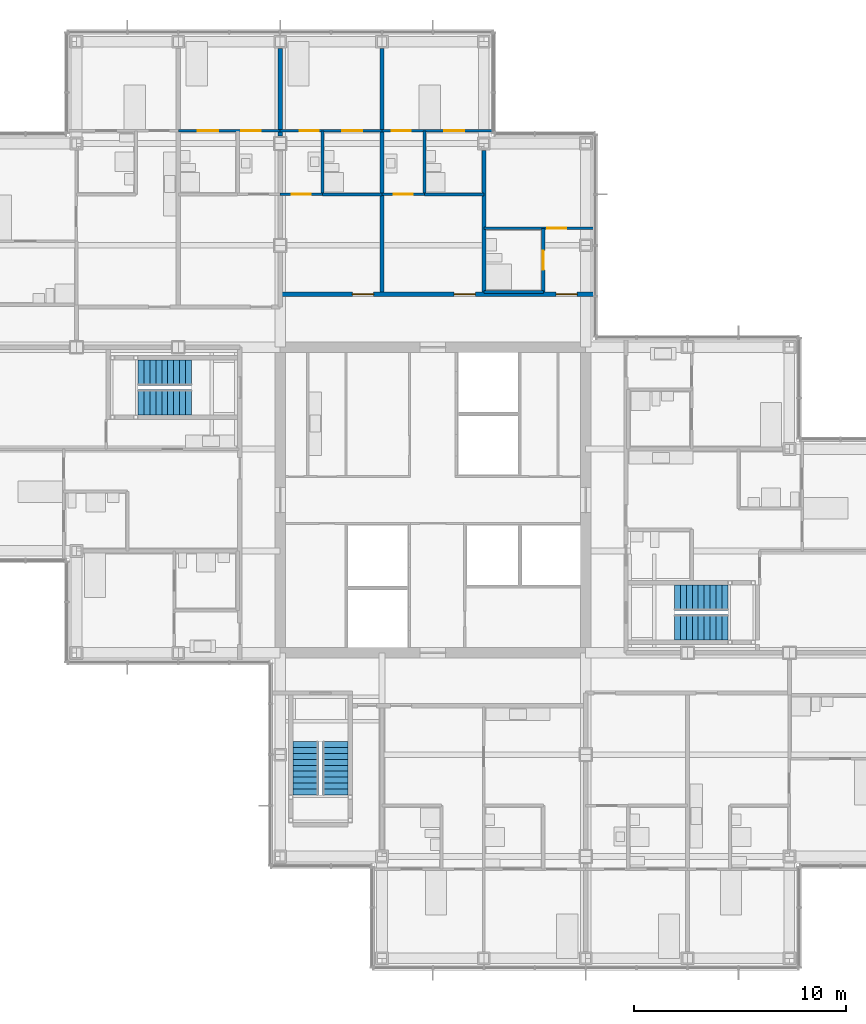
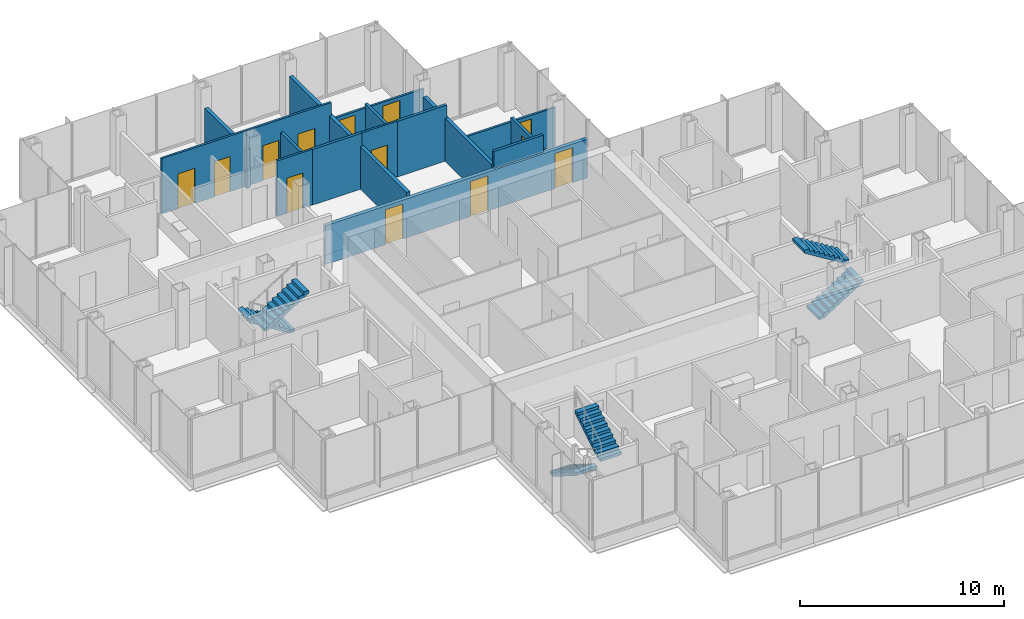
# One storey, part 17 of 20: 16 walls, 13 doors, 6 stair flights, 13 openings, 3 elements without a shape of their own.
"""IFC4 building model written with IfcOpenShell, lengths in metres."""

from ifc_helpers import new_model, si_unit, direction, frame, frame_2d, origin, place, context, subcontext, project, spatial, polyline, rectangle, outline, extrude, material, layer, layer_set, type_object, element, fill, aggregate, save


model = new_model("IFC4")

# Units and contexts
model_context = context("Model", 3, precision=1e-05, world=origin(), true_north=direction((0.0, 1.0)))
body_context = subcontext(model_context, "Body", "Model", "MODEL_VIEW")
ifc_project = project(units=[si_unit("LENGTHUNIT", "METRE"), si_unit("AREAUNIT", "SQUARE_METRE"), si_unit("VOLUMEUNIT", "CUBIC_METRE"), si_unit("PLANEANGLEUNIT", "RADIAN"), si_unit("MASSUNIT", "GRAM", prefix="KILO")], contexts=[model_context])

# Site, building, storey
site_placement = place(None, origin())
site = spatial("IfcSite", under=ifc_project, at=site_placement, CompositionType="ELEMENT")
building_placement = place(site_placement, origin())
building = spatial("IfcBuilding", under=site, at=building_placement, Name="Kvirike Care Tower", CompositionType="ELEMENT")
storey_placement = place(building_placement, frame((0.0, 0.0, 122.5)))
storey = spatial("IfcBuildingStorey", under=building, at=storey_placement, Name="L33", CompositionType="ELEMENT", Elevation=122.5)

# Wall, opening, door
ifc_material_1 = material(Name="Moisture-resistant board partition", Category="gypsum")
ifc_layer_1 = layer(ifc_material_1, 0.14990234375)
ifc_layer_set_1 = layer_set([ifc_layer_1], Name="BATHROOM WALL 150")
wall_type_1 = type_object("IfcWallType", Name="BATHROOM WALL 150", PredefinedType="PARTITIONING", material=ifc_layer_set_1)
wall_1_placement = place(storey_placement, frame((26.800048828125, 48.800048828125, 0.0), z_axis=(0.0, 0.0, 1.0), x_axis=(0.0, -1.0, 0.0)))
wall_1 = element("IfcWall", 1, at=wall_1_placement, inside=storey, type_object=wall_type_1, Name="Bathroom Wall 150 L33", PredefinedType="PARTITIONING", context=body_context, shape_type="SweptSolid", body=[
    extrude(rectangle(XDim=3.0, YDim=0.14990234375, at=frame_2d((1.5, 0.0))), origin(), (0.0, 0.0, 1.0), 2.550048828125),
])
opening_1_placement = place(wall_1_placement, frame((1.050048828125, 0.0, 0.0)))
opening_1 = element("IfcOpeningElement", 2, at=opening_1_placement, cuts=wall_1, Name="Opening 33-027", PredefinedType="OPENING", context=body_context, shape_type="SweptSolid", body=[
    extrude(rectangle(XDim=0.89990234375, YDim=2.10009765625, at=frame_2d((0.449951171875, 1.050048828125))), frame((0.0, 0.08544921875, 0.0), z_axis=(0.0, -1.0, 0.0), x_axis=(1.0, 0.0, 0.0)), (0.0, 0.0, 1.0), 0.1708984375),
])
ifc_material_2 = material(Name="Timber door set", Category="wood")
door_type_1 = type_object("IfcDoorType", Name="BATHROOM DOOR 900", OperationType="SINGLE_SWING_RIGHT", PredefinedType="DOOR", material=ifc_material_2)
door_1_placement = place(opening_1_placement, origin())
door_1 = element("IfcDoor", 3, at=door_1_placement, inside=storey, type_object=door_type_1, Name="Assisted bathroom door", OperationType="SINGLE_SWING_RIGHT", OverallHeight=2.10009765625, OverallWidth=0.89990234375, PredefinedType="DOOR", context=body_context, shape_type="SweptSolid", body=[
    extrude(rectangle(XDim=0.89990234375, YDim=2.10009765625, at=frame_2d((0.449951171875, 1.050048828125))), frame((0.0, 0.02197265625, 0.0), z_axis=(0.0, -1.0, 0.0), x_axis=(1.0, 0.0, 0.0)), (0.0, 0.0, 1.0), 0.0439453125),
])
fill(opening_1, door_1)

# Walls
wall_2_placement = place(storey_placement, frame((26.800048828125, 45.800048828125, 0.0), z_axis=(0.0, 0.0, 1.0), x_axis=(-1.0, 0.0, 0.0)))
element("IfcWall", 4, at=wall_2_placement, inside=storey, type_object=wall_type_1, Name="Bathroom Wall 150 L33", PredefinedType="PARTITIONING", context=body_context, shape_type="SweptSolid", body=[
    extrude(rectangle(XDim=2.800048828125, YDim=0.14990234375, at=frame_2d((1.39990234375, 0.0))), origin(), (0.0, 0.0, 1.0), 3.330078125),
])
wall_3_placement = place(storey_placement, frame((21.199951171875, 53.39990234375, 0.0), z_axis=(0.0, 0.0, 1.0), x_axis=(0.0, -1.0, 0.0)))
element("IfcWall", 5, at=wall_3_placement, inside=storey, type_object=wall_type_1, Name="Bathroom Wall 150 L33", PredefinedType="PARTITIONING", context=body_context, shape_type="SweptSolid", body=[
    extrude(rectangle(XDim=3.0, YDim=0.14990234375, at=frame_2d((1.5, 0.0))), origin(), (0.0, 0.0, 1.0), 2.550048828125),
])
wall_4_placement = place(storey_placement, frame((24.0, 50.39990234375, 0.0), z_axis=(0.0, 0.0, 1.0), x_axis=(-1.0, 0.0, 0.0)))
element("IfcWall", 6, at=wall_4_placement, inside=storey, type_object=wall_type_1, Name="Bathroom Wall 150 L33", PredefinedType="PARTITIONING", context=body_context, shape_type="SweptSolid", body=[
    extrude(rectangle(XDim=2.800048828125, YDim=0.14990234375, at=frame_2d((1.39990234375, 0.0))), origin(), (0.0, 0.0, 1.0), 3.330078125),
])
wall_5_placement = place(storey_placement, frame((16.39990234375, 53.39990234375, 0.0), z_axis=(0.0, 0.0, 1.0), x_axis=(0.0, -1.0, 0.0)))
element("IfcWall", 7, at=wall_5_placement, inside=storey, type_object=wall_type_1, Name="Bathroom Wall 150 L33", PredefinedType="PARTITIONING", context=body_context, shape_type="SweptSolid", body=[
    extrude(rectangle(XDim=3.0, YDim=0.14990234375, at=frame_2d((1.5, 0.0))), origin(), (0.0, 0.0, 1.0), 2.550048828125),
])
wall_6_placement = place(storey_placement, frame((19.199951171875, 50.39990234375, 0.0), z_axis=(0.0, 0.0, 1.0), x_axis=(-1.0, 0.0, 0.0)))
element("IfcWall", 8, at=wall_6_placement, inside=storey, type_object=wall_type_1, Name="Bathroom Wall 150 L33", PredefinedType="PARTITIONING", context=body_context, shape_type="SweptSolid", body=[
    extrude(rectangle(XDim=2.800048828125, YDim=0.14990234375, at=frame_2d((1.39990234375, 0.0))), origin(), (0.0, 0.0, 1.0), 3.330078125),
])

# Wall, openings, doors
ifc_material_3 = material(Name="Plasterboard corridor wall", Category="gypsum")
ifc_layer_2 = layer(ifc_material_3, 0.199951171875)
ifc_layer_set_2 = layer_set([ifc_layer_2], Name="CORRIDOR WALL 200")
wall_type_2 = type_object("IfcWallType", Name="CORRIDOR WALL 200", PredefinedType="PARTITIONING", material=ifc_layer_set_2)
wall_7_placement = place(storey_placement, frame((29.239990234375, 45.699951171875, 0.0), z_axis=(0.0, 0.0, 1.0), x_axis=(-1.0, 0.0, 0.0)))
wall_7 = element("IfcWall", 9, at=wall_7_placement, inside=storey, type_object=wall_type_2, Name="Corridor Wall 200 L33", PredefinedType="PARTITIONING", context=body_context, shape_type="SweptSolid", body=[
    extrude(rectangle(XDim=14.840087890625, YDim=0.199951171875, at=frame_2d((7.419921875, 0.0))), origin(), (0.0, 0.0, 1.0), 2.320068359375),
])
opening_2_placement = place(wall_7_placement, frame((0.840087890625, 0.0, 0.0)))
opening_2 = element("IfcOpeningElement", 10, at=opening_2_placement, cuts=wall_7, Name="Opening 33-035", PredefinedType="OPENING", context=body_context, shape_type="SweptSolid", body=[
    extrude(rectangle(XDim=1.0, YDim=2.10009765625, at=frame_2d((0.5, 1.050048828125))), frame((0.0, 0.110595703125, 0.0), z_axis=(0.0, -1.0, 0.0), x_axis=(1.0, 0.0, 0.0)), (0.0, 0.0, 1.0), 0.220947265625),
])
opening_3_placement = place(wall_7_placement, frame((5.639892578125, 0.0, 0.0)))
opening_3 = element("IfcOpeningElement", 11, at=opening_3_placement, cuts=wall_7, Name="Opening 33-036", PredefinedType="OPENING", context=body_context, shape_type="SweptSolid", body=[
    extrude(rectangle(XDim=1.0, YDim=2.10009765625, at=frame_2d((0.5, 1.050048828125))), frame((0.0, 0.110595703125, 0.0), z_axis=(0.0, -1.0, 0.0), x_axis=(1.0, 0.0, 0.0)), (0.0, 0.0, 1.0), 0.220947265625),
])
opening_4_placement = place(wall_7_placement, frame((10.43994140625, 0.0, 0.0)))
opening_4 = element("IfcOpeningElement", 12, at=opening_4_placement, cuts=wall_7, Name="Opening 33-037", PredefinedType="OPENING", context=body_context, shape_type="SweptSolid", body=[
    extrude(rectangle(XDim=1.0, YDim=2.10009765625, at=frame_2d((0.5, 1.050048828125))), frame((0.0, 0.110595703125, 0.0), z_axis=(0.0, -1.0, 0.0), x_axis=(1.0, 0.0, 0.0)), (0.0, 0.0, 1.0), 0.220947265625),
])
ifc_material_4 = material(Name="Timber door set", Category="wood")
door_type_2 = type_object("IfcDoorType", Name="FLAT ENTRANCE DOOR 1000", OperationType="SINGLE_SWING_LEFT", PredefinedType="DOOR", material=ifc_material_4)
door_2_placement = place(opening_2_placement, frame((1.0, 0.0, 0.0), z_axis=(0.0, 0.0, 1.0), x_axis=(-1.0, 0.0, 0.0)))
door_2 = element("IfcDoor", 13, at=door_2_placement, inside=storey, type_object=door_type_2, Name="Care base entrance", OperationType="SINGLE_SWING_LEFT", OverallHeight=2.10009765625, OverallWidth=1.0, PredefinedType="DOOR", context=body_context, shape_type="SweptSolid", body=[
    extrude(rectangle(XDim=1.0, YDim=2.10009765625, at=frame_2d((0.5, 1.050048828125))), frame((0.0, 0.02685546875, 0.0), z_axis=(0.0, -1.0, 0.0), x_axis=(1.0, 0.0, 0.0)), (0.0, 0.0, 1.0), 0.053955078125),
])
fill(opening_2, door_2)
door_3_placement = place(opening_3_placement, frame((1.0, 0.0, 0.0), z_axis=(0.0, 0.0, 1.0), x_axis=(-1.0, 0.0, 0.0)))
door_3 = element("IfcDoor", 14, at=door_3_placement, inside=storey, type_object=door_type_2, Name="Assisted living suite entrance", OperationType="SINGLE_SWING_LEFT", OverallHeight=2.10009765625, OverallWidth=1.0, PredefinedType="DOOR", context=body_context, shape_type="SweptSolid", body=[
    extrude(rectangle(XDim=1.0, YDim=2.10009765625, at=frame_2d((0.5, 1.050048828125))), frame((0.0, 0.02685546875, 0.0), z_axis=(0.0, -1.0, 0.0), x_axis=(1.0, 0.0, 0.0)), (0.0, 0.0, 1.0), 0.053955078125),
])
fill(opening_3, door_3)
door_4_placement = place(opening_4_placement, frame((1.0, 0.0, 0.0), z_axis=(0.0, 0.0, 1.0), x_axis=(-1.0, 0.0, 0.0)))
door_4 = element("IfcDoor", 15, at=door_4_placement, inside=storey, type_object=door_type_2, Name="Assisted living suite entrance", OperationType="SINGLE_SWING_LEFT", OverallHeight=2.10009765625, OverallWidth=1.0, PredefinedType="DOOR", context=body_context, shape_type="SweptSolid", body=[
    extrude(rectangle(XDim=1.0, YDim=2.10009765625, at=frame_2d((0.5, 1.050048828125))), frame((0.0, 0.02685546875, 0.0), z_axis=(0.0, -1.0, 0.0), x_axis=(1.0, 0.0, 0.0)), (0.0, 0.0, 1.0), 0.053955078125),
])
fill(opening_4, door_4)

ifc_material_5 = material(Name="Plasterboard partition", Category="gypsum")
ifc_layer_3 = layer(ifc_material_5, 0.1201171875)
ifc_layer_set_3 = layer_set([ifc_layer_3], Name="PARTITION 120")
wall_type_3 = type_object("IfcWallType", Name="PARTITION 120", PredefinedType="PARTITIONING", material=ifc_layer_set_3)
wall_8_placement = place(storey_placement, frame((14.39990234375, 53.39990234375, 0.0), z_axis=(0.0, 0.0, 1.0), x_axis=(-1.0, 0.0, 0.0)))
wall_8 = element("IfcWall", 16, at=wall_8_placement, inside=storey, type_object=wall_type_3, Name="Partition 120 L33", PredefinedType="PARTITIONING", context=body_context, shape_type="SweptSolid", body=[
    extrude(rectangle(XDim=4.7998046875, YDim=0.1201171875, at=frame_2d((2.39990234375, 0.0))), origin(), (0.0, 0.0, 1.0), 3.330078125),
])
opening_5_placement = place(wall_8_placement, frame((0.925048828125, 0.0, 0.0)))
opening_5 = element("IfcOpeningElement", 17, at=opening_5_placement, cuts=wall_8, Name="Opening 33-011", PredefinedType="OPENING", context=body_context, shape_type="SweptSolid", body=[
    extrude(rectangle(XDim=0.89990234375, YDim=2.10009765625, at=frame_2d((0.449951171875, 1.050048828125))), frame((0.0, 0.070556640625, 0.0), z_axis=(0.0, -1.0, 0.0), x_axis=(1.0, 0.0, 0.0)), (0.0, 0.0, 1.0), 0.14111328125),
])
opening_6_placement = place(wall_8_placement, frame((2.925048828125, 0.0, 0.0)))
opening_6 = element("IfcOpeningElement", 18, at=opening_6_placement, cuts=wall_8, Name="Opening 33-012", PredefinedType="OPENING", context=body_context, shape_type="SweptSolid", body=[
    extrude(rectangle(XDim=0.949951171875, YDim=2.10009765625, at=frame_2d((0.47509765625, 1.050048828125))), frame((0.0, 0.070556640625, 0.0), z_axis=(0.0, -1.0, 0.0), x_axis=(1.0, 0.0, 0.0)), (0.0, 0.0, 1.0), 0.14111328125),
])
ifc_material_6 = material(Name="Timber door set", Category="wood")
door_type_3 = type_object("IfcDoorType", Name="EN-SUITE SLIDING DOOR 950", OperationType="SLIDING_TO_LEFT", PredefinedType="DOOR", material=ifc_material_6)
door_5_placement = place(opening_6_placement, origin())
door_5 = element("IfcDoor", 19, at=door_5_placement, inside=storey, type_object=door_type_3, Name="En-suite door", OperationType="SLIDING_TO_RIGHT", OverallHeight=2.10009765625, OverallWidth=0.949951171875, PredefinedType="DOOR", context=body_context, shape_type="SweptSolid", body=[
    extrude(rectangle(XDim=0.949951171875, YDim=2.10009765625, at=frame_2d((0.47509765625, 1.050048828125))), frame((0.0, 0.02197265625, 0.0), z_axis=(0.0, -1.0, 0.0), x_axis=(1.0, 0.0, 0.0)), (0.0, 0.0, 1.0), 0.0439453125),
])
fill(opening_6, door_5)
ifc_material_7 = material(Name="Timber door set", Category="wood")
door_type_4 = type_object("IfcDoorType", Name="INTERNAL DOOR 900", OperationType="SINGLE_SWING_LEFT", PredefinedType="DOOR", material=ifc_material_7)
door_6_placement = place(opening_5_placement, origin())
door_6 = element("IfcDoor", 20, at=door_6_placement, inside=storey, type_object=door_type_4, Name="Assisted living suite door", OperationType="SINGLE_SWING_LEFT", OverallHeight=2.10009765625, OverallWidth=0.89990234375, PredefinedType="DOOR", context=body_context, shape_type="SweptSolid", body=[
    extrude(rectangle(XDim=0.89990234375, YDim=2.10009765625, at=frame_2d((0.449951171875, 1.050048828125))), frame((0.0, 0.02197265625, 0.0), z_axis=(0.0, -1.0, 0.0), x_axis=(1.0, 0.0, 0.0)), (0.0, 0.0, 1.0), 0.0439453125),
])
fill(opening_5, door_6)

# Wall, opening, door
wall_9_placement = place(storey_placement, frame((29.239990234375, 48.800048828125, 0.0), z_axis=(0.0, 0.0, 1.0), x_axis=(-1.0, 0.0, 0.0)))
wall_9 = element("IfcWall", 21, at=wall_9_placement, inside=storey, type_object=wall_type_3, Name="Partition 120 L33", PredefinedType="PARTITIONING", context=body_context, shape_type="SweptSolid", body=[
    extrude(rectangle(XDim=5.239990234375, YDim=0.1201171875, at=frame_2d((2.6201171875, 0.0))), origin(), (0.0, 0.0, 1.0), 2.320068359375),
])
opening_7_placement = place(wall_9_placement, frame((1.364990234375, 0.0, 0.0)))
opening_7 = element("IfcOpeningElement", 22, at=opening_7_placement, cuts=wall_9, Name="Opening 33-028", PredefinedType="OPENING", context=body_context, shape_type="SweptSolid", body=[
    extrude(rectangle(XDim=0.89990234375, YDim=2.10009765625, at=frame_2d((0.449951171875, 1.050048828125))), frame((0.0, 0.070556640625, 0.0), z_axis=(0.0, -1.0, 0.0), x_axis=(1.0, 0.0, 0.0)), (0.0, 0.0, 1.0), 0.14111328125),
])
door_7_placement = place(opening_7_placement, origin())
door_7 = element("IfcDoor", 23, at=door_7_placement, inside=storey, type_object=door_type_4, Name="Care lounge door", OperationType="SINGLE_SWING_LEFT", OverallHeight=2.10009765625, OverallWidth=0.89990234375, PredefinedType="DOOR", context=body_context, shape_type="SweptSolid", body=[
    extrude(rectangle(XDim=0.89990234375, YDim=2.10009765625, at=frame_2d((0.449951171875, 1.050048828125))), frame((0.0, 0.02197265625, 0.0), z_axis=(0.0, -1.0, 0.0), x_axis=(1.0, 0.0, 0.0)), (0.0, 0.0, 1.0), 0.0439453125),
])
fill(opening_7, door_7)

wall_10_placement = place(storey_placement, frame((21.199951171875, 50.39990234375, 0.0), z_axis=(0.0, 0.0, 1.0), x_axis=(-1.0, 0.0, 0.0)))
wall_10 = element("IfcWall", 24, at=wall_10_placement, inside=storey, type_object=wall_type_3, Name="Partition 120 L33", PredefinedType="PARTITIONING", context=body_context, shape_type="SweptSolid", body=[
    extrude(rectangle(XDim=2.0, YDim=0.1201171875, at=frame_2d((1.0, 0.0))), origin(), (0.0, 0.0, 1.0), 3.330078125),
])
opening_8_placement = place(wall_10_placement, frame((0.550048828125, 0.0, 0.0)))
opening_8 = element("IfcOpeningElement", 25, at=opening_8_placement, cuts=wall_10, Name="Opening 33-029", PredefinedType="OPENING", context=body_context, shape_type="SweptSolid", body=[
    extrude(rectangle(XDim=0.89990234375, YDim=2.10009765625, at=frame_2d((0.449951171875, 1.050048828125))), frame((0.0, 0.070556640625, 0.0), z_axis=(0.0, -1.0, 0.0), x_axis=(1.0, 0.0, 0.0)), (0.0, 0.0, 1.0), 0.14111328125),
])
door_8_placement = place(opening_8_placement, frame((0.89990234375, 0.0, 0.0), z_axis=(0.0, 0.0, 1.0), x_axis=(-1.0, 0.0, 0.0)))
door_8 = element("IfcDoor", 26, at=door_8_placement, inside=storey, type_object=door_type_4, Name="Kitchen door", OperationType="SINGLE_SWING_LEFT", OverallHeight=2.10009765625, OverallWidth=0.89990234375, PredefinedType="DOOR", context=body_context, shape_type="SweptSolid", body=[
    extrude(rectangle(XDim=0.89990234375, YDim=2.10009765625, at=frame_2d((0.449951171875, 1.050048828125))), frame((0.0, 0.02197265625, 0.0), z_axis=(0.0, -1.0, 0.0), x_axis=(1.0, 0.0, 0.0)), (0.0, 0.0, 1.0), 0.0439453125),
])
fill(opening_8, door_8)

# Wall, openings, doors
wall_11_placement = place(storey_placement, frame((24.43994140625, 53.39990234375, 0.0), z_axis=(0.0, 0.0, 1.0), x_axis=(-1.0, 0.0, 0.0)))
wall_11 = element("IfcWall", 27, at=wall_11_placement, inside=storey, type_object=wall_type_3, Name="Partition 120 L33", PredefinedType="PARTITIONING", context=body_context, shape_type="SweptSolid", body=[
    extrude(rectangle(XDim=5.239990234375, YDim=0.1201171875, at=frame_2d((2.6201171875, 0.0))), origin(), (0.0, 0.0, 1.0), 2.320068359375),
])
opening_9_placement = place(wall_11_placement, frame((3.889892578125, 0.0, 0.0)))
opening_9 = element("IfcOpeningElement", 28, at=opening_9_placement, cuts=wall_11, Name="Opening 33-030", PredefinedType="OPENING", context=body_context, shape_type="SweptSolid", body=[
    extrude(rectangle(XDim=0.89990234375, YDim=2.10009765625, at=frame_2d((0.449951171875, 1.050048828125))), frame((0.0, 0.070556640625, 0.0), z_axis=(0.0, -1.0, 0.0), x_axis=(1.0, 0.0, 0.0)), (0.0, 0.0, 1.0), 0.14111328125),
])
opening_10_placement = place(wall_11_placement, frame((1.364990234375, 0.0, 0.0)))
opening_10 = element("IfcOpeningElement", 29, at=opening_10_placement, cuts=wall_11, Name="Opening 33-031", PredefinedType="OPENING", context=body_context, shape_type="SweptSolid", body=[
    extrude(rectangle(XDim=0.949951171875, YDim=2.10009765625, at=frame_2d((0.47509765625, 1.050048828125))), frame((0.0, 0.070556640625, 0.0), z_axis=(0.0, -1.0, 0.0), x_axis=(1.0, 0.0, 0.0)), (0.0, 0.0, 1.0), 0.14111328125),
])
door_9_placement = place(opening_10_placement, origin())
door_9 = element("IfcDoor", 30, at=door_9_placement, inside=storey, type_object=door_type_3, Name="En-suite door", OperationType="SLIDING_TO_RIGHT", OverallHeight=2.10009765625, OverallWidth=0.949951171875, PredefinedType="DOOR", context=body_context, shape_type="SweptSolid", body=[
    extrude(rectangle(XDim=0.949951171875, YDim=2.10009765625, at=frame_2d((0.47509765625, 1.050048828125))), frame((0.0, 0.02197265625, 0.0), z_axis=(0.0, -1.0, 0.0), x_axis=(1.0, 0.0, 0.0)), (0.0, 0.0, 1.0), 0.0439453125),
])
fill(opening_10, door_9)
door_10_placement = place(opening_9_placement, origin())
door_10 = element("IfcDoor", 31, at=door_10_placement, inside=storey, type_object=door_type_4, Name="Assisted living suite door", OperationType="SINGLE_SWING_LEFT", OverallHeight=2.10009765625, OverallWidth=0.89990234375, PredefinedType="DOOR", context=body_context, shape_type="SweptSolid", body=[
    extrude(rectangle(XDim=0.89990234375, YDim=2.10009765625, at=frame_2d((0.449951171875, 1.050048828125))), frame((0.0, 0.02197265625, 0.0), z_axis=(0.0, -1.0, 0.0), x_axis=(1.0, 0.0, 0.0)), (0.0, 0.0, 1.0), 0.0439453125),
])
fill(opening_9, door_10)

# Wall, opening, door
wall_12_placement = place(storey_placement, frame((16.39990234375, 50.39990234375, 0.0), z_axis=(0.0, 0.0, 1.0), x_axis=(-1.0, 0.0, 0.0)))
wall_12 = element("IfcWall", 32, at=wall_12_placement, inside=storey, type_object=wall_type_3, Name="Partition 120 L33", PredefinedType="PARTITIONING", context=body_context, shape_type="SweptSolid", body=[
    extrude(rectangle(XDim=2.0, YDim=0.1201171875, at=frame_2d((1.0, 0.0))), origin(), (0.0, 0.0, 1.0), 3.330078125),
])
opening_11_placement = place(wall_12_placement, frame((0.550048828125, 0.0, 0.0)))
opening_11 = element("IfcOpeningElement", 33, at=opening_11_placement, cuts=wall_12, Name="Opening 33-032", PredefinedType="OPENING", context=body_context, shape_type="SweptSolid", body=[
    extrude(rectangle(XDim=0.89990234375, YDim=2.10009765625, at=frame_2d((0.449951171875, 1.050048828125))), frame((0.0, 0.070556640625, 0.0), z_axis=(0.0, -1.0, 0.0), x_axis=(1.0, 0.0, 0.0)), (0.0, 0.0, 1.0), 0.14111328125),
])
door_11_placement = place(opening_11_placement, frame((0.89990234375, 0.0, 0.0), z_axis=(0.0, 0.0, 1.0), x_axis=(-1.0, 0.0, 0.0)))
door_11 = element("IfcDoor", 34, at=door_11_placement, inside=storey, type_object=door_type_4, Name="Kitchen door", OperationType="SINGLE_SWING_LEFT", OverallHeight=2.10009765625, OverallWidth=0.89990234375, PredefinedType="DOOR", context=body_context, shape_type="SweptSolid", body=[
    extrude(rectangle(XDim=0.89990234375, YDim=2.10009765625, at=frame_2d((0.449951171875, 1.050048828125))), frame((0.0, 0.02197265625, 0.0), z_axis=(0.0, -1.0, 0.0), x_axis=(1.0, 0.0, 0.0)), (0.0, 0.0, 1.0), 0.0439453125),
])
fill(opening_11, door_11)

# Wall, openings, doors
wall_13_placement = place(storey_placement, frame((19.199951171875, 53.39990234375, 0.0), z_axis=(0.0, 0.0, 1.0), x_axis=(-1.0, 0.0, 0.0)))
wall_13 = element("IfcWall", 35, at=wall_13_placement, inside=storey, type_object=wall_type_3, Name="Partition 120 L33", PredefinedType="PARTITIONING", context=body_context, shape_type="SweptSolid", body=[
    extrude(rectangle(XDim=4.800048828125, YDim=0.1201171875, at=frame_2d((2.39990234375, 0.0))), origin(), (0.0, 0.0, 1.0), 3.330078125),
])
opening_12_placement = place(wall_13_placement, frame((2.97509765625, 0.0, 0.0)))
opening_12 = element("IfcOpeningElement", 36, at=opening_12_placement, cuts=wall_13, Name="Opening 33-033", PredefinedType="OPENING", context=body_context, shape_type="SweptSolid", body=[
    extrude(rectangle(XDim=0.89990234375, YDim=2.10009765625, at=frame_2d((0.449951171875, 1.050048828125))), frame((0.0, 0.070556640625, 0.0), z_axis=(0.0, -1.0, 0.0), x_axis=(1.0, 0.0, 0.0)), (0.0, 0.0, 1.0), 0.14111328125),
])
opening_13_placement = place(wall_13_placement, frame((0.925048828125, 0.0, 0.0)))
opening_13 = element("IfcOpeningElement", 37, at=opening_13_placement, cuts=wall_13, Name="Opening 33-034", PredefinedType="OPENING", context=body_context, shape_type="SweptSolid", body=[
    extrude(rectangle(XDim=0.949951171875, YDim=2.10009765625, at=frame_2d((0.47509765625, 1.050048828125))), frame((0.0, 0.070556640625, 0.0), z_axis=(0.0, -1.0, 0.0), x_axis=(1.0, 0.0, 0.0)), (0.0, 0.0, 1.0), 0.14111328125),
])
door_12_placement = place(opening_13_placement, origin())
door_12 = element("IfcDoor", 38, at=door_12_placement, inside=storey, type_object=door_type_3, Name="En-suite door", OperationType="SLIDING_TO_RIGHT", OverallHeight=2.10009765625, OverallWidth=0.949951171875, PredefinedType="DOOR", context=body_context, shape_type="SweptSolid", body=[
    extrude(rectangle(XDim=0.949951171875, YDim=2.10009765625, at=frame_2d((0.47509765625, 1.050048828125))), frame((0.0, 0.02197265625, 0.0), z_axis=(0.0, -1.0, 0.0), x_axis=(1.0, 0.0, 0.0)), (0.0, 0.0, 1.0), 0.0439453125),
])
fill(opening_13, door_12)
door_13_placement = place(opening_12_placement, origin())
door_13 = element("IfcDoor", 39, at=door_13_placement, inside=storey, type_object=door_type_4, Name="Assisted living suite door", OperationType="SINGLE_SWING_RIGHT", OverallHeight=2.10009765625, OverallWidth=0.89990234375, PredefinedType="DOOR", context=body_context, shape_type="SweptSolid", body=[
    extrude(rectangle(XDim=0.89990234375, YDim=2.10009765625, at=frame_2d((0.449951171875, 1.050048828125))), frame((0.0, 0.02197265625, 0.0), z_axis=(0.0, -1.0, 0.0), x_axis=(1.0, 0.0, 0.0)), (0.0, 0.0, 1.0), 0.0439453125),
])
fill(opening_12, door_13)

# Walls
ifc_material_8 = material(Name="Plasterboard party wall", Category="gypsum")
ifc_layer_4 = layer(ifc_material_8, 0.199951171875)
ifc_layer_set_4 = layer_set([ifc_layer_4], Name="PARTY WALL 200")
wall_type_4 = type_object("IfcWallType", Name="PARTY WALL 200", PredefinedType="PARTITIONING", material=ifc_layer_set_4)
wall_14_placement = place(storey_placement, frame((24.0, 52.47998046875, 0.0), z_axis=(0.0, 0.0, 1.0), x_axis=(0.0, -1.0, 0.0)))
element("IfcWall", 40, at=wall_14_placement, inside=storey, type_object=wall_type_4, Name="Party Wall 200 L33", PredefinedType="PARTITIONING", context=body_context, shape_type="SweptSolid", body=[
    extrude(rectangle(XDim=6.679931640625, YDim=0.199951171875, at=frame_2d((3.33984375, 0.0))), origin(), (0.0, 0.0, 1.0), 2.550048828125),
])
wall_15_placement = place(storey_placement, frame((19.199951171875, 57.280029296875, 0.0), z_axis=(0.0, 0.0, 1.0), x_axis=(0.0, -1.0, 0.0)))
element("IfcWall", 41, at=wall_15_placement, inside=storey, type_object=wall_type_4, Name="Party Wall 200 L33", PredefinedType="PARTITIONING", context=body_context, shape_type="SweptSolid", body=[
    extrude(rectangle(XDim=11.47998046875, YDim=0.199951171875, at=frame_2d((5.739990234375, 0.0))), origin(), (0.0, 0.0, 1.0), 2.550048828125),
])
wall_16_placement = place(storey_placement, frame((14.39990234375, 53.14501953125, 0.0), z_axis=(0.0, 0.0, 1.0), x_axis=(0.0, 1.0, 0.0)))
element("IfcWall", 42, at=wall_16_placement, inside=storey, type_object=wall_type_4, Name="Party Wall 200 L33", PredefinedType="PARTITIONING", context=body_context, shape_type="SweptSolid", body=[
    extrude(rectangle(XDim=4.135009765625, YDim=0.199951171875, at=frame_2d((2.0673828125, 0.0))), origin(), (0.0, 0.0, 1.0), 2.320068359375),
])

# Stair, stair flights
ifc_material_9 = material(Name="Concrete C35/45", Category="concrete")
stair_type = type_object("IfcStairType", Name="STAIR 20 RISERS", PredefinedType="HALF_TURN_STAIR", material=ifc_material_9)
stair_1_placement = place(storey_placement, origin())
stair_1 = element("IfcStair", 43, at=stair_1_placement, inside=storey, type_object=stair_type, Name="Stair 1 L33", PredefinedType="HALF_TURN_STAIR")
ifc_material_10 = material(Name="Concrete C35/45", Category="concrete")
stair_flight_type = type_object("IfcStairFlightType", Name="FLIGHT 10 RISERS", PredefinedType="STRAIGHT", material=ifc_material_10)
stair_flight_1_placement = place(storey_placement, frame((10.219970703125, 42.0, 0.0), z_axis=(0.0, 0.0, 1.0), x_axis=(-1.0, 0.0, 0.0)))
stair_flight_1 = element("IfcStairFlight", 44, at=stair_flight_1_placement, type_object=stair_flight_type, Name="Stair S1 flight 1 L33-L34", NumberOfRisers=10, NumberOfTreads=9, PredefinedType="STRAIGHT", RiserHeight=0.175, TreadLength=0.28, context=body_context, shape_type="SweptSolid", body=[
    extrude(outline(polyline([(0.0, 0.0), (0.0, 0.175048828125), (0.280029296875, 0.175048828125), (0.280029296875, 0.35009765625), (0.56005859375, 0.35009765625), (0.56005859375, 0.52490234375), (0.840087890625, 0.52490234375), (0.840087890625, 0.699951171875), (1.1201171875, 0.699951171875), (1.1201171875, 0.875), (1.39990234375, 0.875), (1.39990234375, 1.050048828125), (1.679931640625, 1.050048828125), (1.679931640625, 1.22509765625), (1.9599609375, 1.22509765625), (1.9599609375, 1.39990234375), (2.239990234375, 1.39990234375), (2.239990234375, 1.574951171875), (2.52001953125, 1.574951171875), (2.52001953125, 1.75), (2.52001953125, 1.398193359375), (0.28271484375, 0.0), (0.0, 0.0)])), frame((0.0, 0.60009765625, 0.0), z_axis=(0.0, -1.0, 0.0), x_axis=(1.0, 0.0, 0.0)), (0.0, 0.0, 1.0), 1.199951171875),
])
stair_flight_2_placement = place(storey_placement, frame((7.699951171875, 40.60009765625, 1.75), z_axis=(0.0, 0.0, 1.0), x_axis=(1.0, 0.0, 0.0)))
stair_flight_2 = element("IfcStairFlight", 45, at=stair_flight_2_placement, type_object=stair_flight_type, Name="Stair S1 flight 2 L33-L34", NumberOfRisers=10, NumberOfTreads=9, PredefinedType="STRAIGHT", RiserHeight=0.175, TreadLength=0.28, context=body_context, shape_type="SweptSolid", body=[
    extrude(outline(polyline([(0.0, 0.0), (0.0, 0.175048828125), (0.280029296875, 0.175048828125), (0.280029296875, 0.35009765625), (0.56005859375, 0.35009765625), (0.56005859375, 0.52490234375), (0.840087890625, 0.52490234375), (0.840087890625, 0.699951171875), (1.1201171875, 0.699951171875), (1.1201171875, 0.875), (1.39990234375, 0.875), (1.39990234375, 1.050048828125), (1.679931640625, 1.050048828125), (1.679931640625, 1.22509765625), (1.9599609375, 1.22509765625), (1.9599609375, 1.39990234375), (2.239990234375, 1.39990234375), (2.239990234375, 1.574951171875), (2.52001953125, 1.574951171875), (2.52001953125, 1.75), (2.52001953125, 1.398193359375), (0.28271484375, 0.0), (0.0, 0.0)])), frame((0.0, 0.60009765625, 0.0), z_axis=(0.0, -1.0, 0.0), x_axis=(1.0, 0.0, 0.0)), (0.0, 0.0, 1.0), 1.199951171875),
])
aggregate(stair_1, [stair_flight_1, stair_flight_2])

stair_2_placement = place(storey_placement, origin())
stair_2 = element("IfcStair", 46, at=stair_2_placement, inside=storey, type_object=stair_type, Name="Stair 2 L33", PredefinedType="HALF_TURN_STAIR")
stair_flight_3_placement = place(storey_placement, frame((32.97998046875, 30.0, 0.0), z_axis=(0.0, 0.0, 1.0), x_axis=(1.0, 0.0, 0.0)))
stair_flight_3 = element("IfcStairFlight", 47, at=stair_flight_3_placement, type_object=stair_flight_type, Name="Stair S2 flight 1 L33-L34", NumberOfRisers=10, NumberOfTreads=9, PredefinedType="STRAIGHT", RiserHeight=0.175, TreadLength=0.28, context=body_context, shape_type="SweptSolid", body=[
    extrude(outline(polyline([(0.0, 0.0), (0.0, 0.175048828125), (0.280029296875, 0.175048828125), (0.280029296875, 0.35009765625), (0.56005859375, 0.35009765625), (0.56005859375, 0.52490234375), (0.840087890625, 0.52490234375), (0.840087890625, 0.699951171875), (1.1201171875, 0.699951171875), (1.1201171875, 0.875), (1.39990234375, 0.875), (1.39990234375, 1.050048828125), (1.679931640625, 1.050048828125), (1.679931640625, 1.22509765625), (1.9599609375, 1.22509765625), (1.9599609375, 1.39990234375), (2.239990234375, 1.39990234375), (2.239990234375, 1.574951171875), (2.52001953125, 1.574951171875), (2.52001953125, 1.75), (2.52001953125, 1.398193359375), (0.28271484375, 0.0), (0.0, 0.0)])), frame((0.0, 0.60009765625, 0.0), z_axis=(0.0, -1.0, 0.0), x_axis=(1.0, 0.0, 0.0)), (0.0, 0.0, 1.0), 1.199951171875),
])
stair_flight_4_placement = place(storey_placement, frame((35.5, 31.39990234375, 1.75), z_axis=(0.0, 0.0, 1.0), x_axis=(-1.0, 0.0, 0.0)))
stair_flight_4 = element("IfcStairFlight", 48, at=stair_flight_4_placement, type_object=stair_flight_type, Name="Stair S2 flight 2 L33-L34", NumberOfRisers=10, NumberOfTreads=9, PredefinedType="STRAIGHT", RiserHeight=0.175, TreadLength=0.28, context=body_context, shape_type="SweptSolid", body=[
    extrude(outline(polyline([(0.0, 0.0), (0.0, 0.175048828125), (0.280029296875, 0.175048828125), (0.280029296875, 0.35009765625), (0.56005859375, 0.35009765625), (0.56005859375, 0.52490234375), (0.840087890625, 0.52490234375), (0.840087890625, 0.699951171875), (1.1201171875, 0.699951171875), (1.1201171875, 0.875), (1.39990234375, 0.875), (1.39990234375, 1.050048828125), (1.679931640625, 1.050048828125), (1.679931640625, 1.22509765625), (1.9599609375, 1.22509765625), (1.9599609375, 1.39990234375), (2.239990234375, 1.39990234375), (2.239990234375, 1.574951171875), (2.52001953125, 1.574951171875), (2.52001953125, 1.75), (2.52001953125, 1.398193359375), (0.28271484375, 0.0), (0.0, 0.0)])), frame((0.0, 0.60009765625, 0.0), z_axis=(0.0, -1.0, 0.0), x_axis=(1.0, 0.0, 0.0)), (0.0, 0.0, 1.0), 1.199951171875),
])
aggregate(stair_2, [stair_flight_3, stair_flight_4])

stair_3_placement = place(storey_placement, origin())
stair_3 = element("IfcStair", 49, at=stair_3_placement, inside=storey, type_object=stair_type, Name="Stair 5 L33", PredefinedType="HALF_TURN_STAIR")
stair_flight_5_placement = place(storey_placement, frame((15.60009765625, 24.6201171875, 0.0), z_axis=(0.0, 0.0, 1.0), x_axis=(0.0, -1.0, 0.0)))
stair_flight_5 = element("IfcStairFlight", 50, at=stair_flight_5_placement, type_object=stair_flight_type, Name="Stair S5 flight 1 L33-L34", NumberOfRisers=10, NumberOfTreads=9, PredefinedType="STRAIGHT", RiserHeight=0.175, TreadLength=0.28, context=body_context, shape_type="SweptSolid", body=[
    extrude(outline(polyline([(0.0, 0.0), (0.0, 0.175048828125), (0.280029296875, 0.175048828125), (0.280029296875, 0.35009765625), (0.56005859375, 0.35009765625), (0.56005859375, 0.52490234375), (0.840087890625, 0.52490234375), (0.840087890625, 0.699951171875), (1.1201171875, 0.699951171875), (1.1201171875, 0.875), (1.39990234375, 0.875), (1.39990234375, 1.050048828125), (1.679931640625, 1.050048828125), (1.679931640625, 1.22509765625), (1.9599609375, 1.22509765625), (1.9599609375, 1.39990234375), (2.239990234375, 1.39990234375), (2.239990234375, 1.574951171875), (2.52001953125, 1.574951171875), (2.52001953125, 1.75), (2.52001953125, 1.398193359375), (0.28271484375, 0.0), (0.0, 0.0)])), frame((0.0, 0.60009765625, 0.0), z_axis=(0.0, -1.0, 0.0), x_axis=(1.0, 0.0, 0.0)), (0.0, 0.0, 1.0), 1.199951171875),
])
stair_flight_6_placement = place(storey_placement, frame((17.0, 22.10009765625, 1.75), z_axis=(0.0, 0.0, 1.0), x_axis=(0.0, 1.0, 0.0)))
stair_flight_6 = element("IfcStairFlight", 51, at=stair_flight_6_placement, type_object=stair_flight_type, Name="Stair S5 flight 2 L33-L34", NumberOfRisers=10, NumberOfTreads=9, PredefinedType="STRAIGHT", RiserHeight=0.175, TreadLength=0.28, context=body_context, shape_type="SweptSolid", body=[
    extrude(outline(polyline([(0.0, 0.0), (0.0, 0.175048828125), (0.280029296875, 0.175048828125), (0.280029296875, 0.35009765625), (0.56005859375, 0.35009765625), (0.56005859375, 0.52490234375), (0.840087890625, 0.52490234375), (0.840087890625, 0.699951171875), (1.1201171875, 0.699951171875), (1.1201171875, 0.875), (1.39990234375, 0.875), (1.39990234375, 1.050048828125), (1.679931640625, 1.050048828125), (1.679931640625, 1.22509765625), (1.9599609375, 1.22509765625), (1.9599609375, 1.39990234375), (2.239990234375, 1.39990234375), (2.239990234375, 1.574951171875), (2.52001953125, 1.574951171875), (2.52001953125, 1.75), (2.52001953125, 1.398193359375), (0.28271484375, 0.0), (0.0, 0.0)])), frame((0.0, 0.60009765625, 0.0), z_axis=(0.0, -1.0, 0.0), x_axis=(1.0, 0.0, 0.0)), (0.0, 0.0, 1.0), 1.199951171875),
])
aggregate(stair_3, [stair_flight_5, stair_flight_6])

save(model, "model.ifc")
